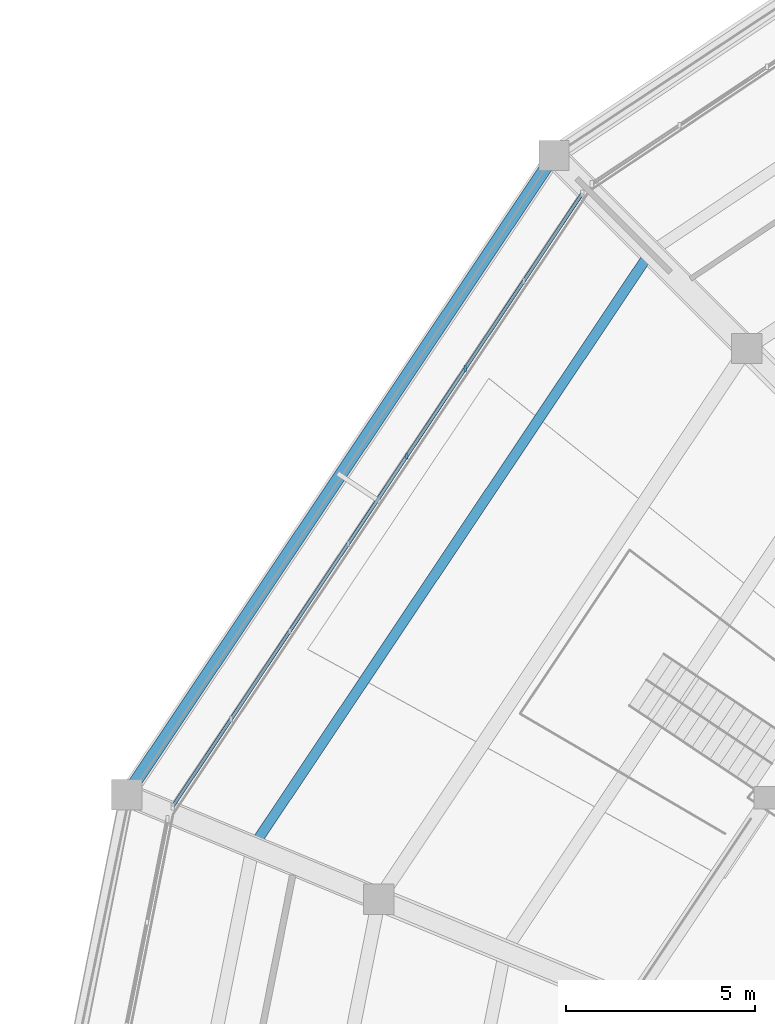
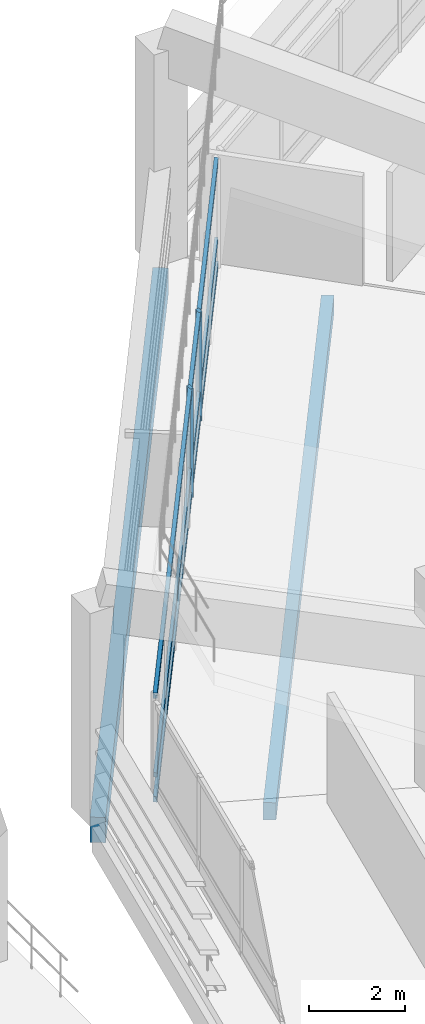
# One storey, part 25 of 96: 5 members, 2 beams, 1 element without a shape of its own.
"""IFC4 building model written with IfcOpenShell, lengths in metres."""

from ifc_helpers import new_model, si_unit, direction, frame, origin, origin_2d, place, context, subcontext, project, spatial, rectangle, extrude, material, material_profile, profile_set, type_object, element, aggregate, save


model = new_model("IFC4")

# Units and contexts
model_context = context("Model", 3, precision=1e-05, world=origin(), true_north=direction((0.0, 1.0)))
body_context = subcontext(model_context, "Body", "Model", "MODEL_VIEW")
ifc_project = project(units=[si_unit("LENGTHUNIT", "METRE"), si_unit("AREAUNIT", "SQUARE_METRE"), si_unit("VOLUMEUNIT", "CUBIC_METRE"), si_unit("PLANEANGLEUNIT", "RADIAN"), si_unit("MASSUNIT", "GRAM", prefix="KILO")], contexts=[model_context])

# Site, building, storey
site_placement = place(None, origin())
site = spatial("IfcSite", under=ifc_project, at=site_placement, CompositionType="ELEMENT")
building_placement = place(site_placement, origin())
building = spatial("IfcBuilding", under=site, at=building_placement, Name="Candeia Ridge Stadium", CompositionType="ELEMENT")
storey_placement = place(building_placement, frame((0.0, 0.0, 21.60009765625)))
storey = spatial("IfcBuildingStorey", under=building, at=storey_placement, Name="L04", CompositionType="ELEMENT", Elevation=21.60009765625)

# Curtain wall, members
ifc_material_1 = material(Name="Aluminium Anodized Warm Bronze", Category="aluminium")
curtain_wall_type = type_object("IfcCurtainWallType", Name="Concourse Recessed Unitised Curtain Wall", PredefinedType="NOTDEFINED", material=ifc_material_1)
curtain_wall_placement = place(storey_placement, origin())
curtain_wall = element("IfcCurtainWall", 1, at=curtain_wall_placement, inside=storey, type_object=curtain_wall_type, Name="Unitised curtain wall CW-BWL-L04-09", PredefinedType="NOTDEFINED")
ifc_material_profile_1 = material_profile(ifc_material_1, rectangle(XDim=0.074951171875, YDim=0.14990234375, at=origin_2d()), Name="CWM-75x150", Category="aluminium")
ifc_profile_set_1 = profile_set([ifc_material_profile_1], Name="Aluminium Anodized Warm Bronze")
member_type_1 = type_object("IfcMemberType", Name="Curtain Wall Secondary Mullion 75x150", PredefinedType="MULLION", material=ifc_profile_set_1)
member_1_placement = place(storey_placement, frame((31.889892578125, 126.148193359375, 0.0), z_axis=(0.0, 0.0, 1.0), x_axis=(1.0, 0.0, 0.0)))
member_1 = element("IfcMember", 2, at=member_1_placement, type_object=member_type_1, Name="Curtain wall mullion CW-BWL-L04-09-M2", PredefinedType="MULLION", context=body_context, shape_type="SweptSolid", body=[
    extrude(rectangle(XDim=0.074951171875, YDim=0.14990234375, at=origin_2d()), origin(), (0.0, 0.0, 1.0), 2.772216796875),
])
member_2_placement = place(storey_placement, frame((30.34521484375, 123.83642578125, 0.0), z_axis=(0.0, 0.0, 1.0), x_axis=(1.0, 0.0, 0.0)))
member_2 = element("IfcMember", 3, at=member_2_placement, type_object=member_type_1, Name="Curtain wall mullion CW-BWL-L04-09-M3", PredefinedType="MULLION", context=body_context, shape_type="SweptSolid", body=[
    extrude(rectangle(XDim=0.074951171875, YDim=0.14990234375, at=origin_2d()), origin(), (0.0, 0.0, 1.0), 2.772216796875),
])
ifc_material_profile_2 = material_profile(ifc_material_1, rectangle(XDim=0.074951171875, YDim=0.110107421875, at=origin_2d()), Name="CWT-75x110", Category="aluminium")
ifc_profile_set_2 = profile_set([ifc_material_profile_2], Name="Aluminium Anodized Warm Bronze")
member_type_2 = type_object("IfcMemberType", Name="Curtain Wall Secondary Transom 75x110", PredefinedType="USERDEFINED", material=ifc_profile_set_2)
member_3_placement = place(storey_placement, frame((34.97900390625, 130.771484375, 0.693115234375), z_axis=(-0.555568394863, -0.831470840517, 0.0), x_axis=(0.831470840517, -0.555568394863, 0.0)))
member_3 = element("IfcMember", 4, at=member_3_placement, type_object=member_type_2, Name="Curtain wall transom CW-BWL-L04-09-T1", ObjectType="TRANSOM", PredefinedType="USERDEFINED", context=body_context, shape_type="SweptSolid", body=[
    extrude(rectangle(XDim=0.074951171875, YDim=0.110107421875, at=origin_2d()), origin(), (0.0, 0.0, 1.0), 19.461181640625),
])
ifc_material_profile_3 = material_profile(ifc_material_1, rectangle(XDim=0.090087890625, YDim=0.139892578125, at=origin_2d()), Name="CWT-90x140", Category="aluminium")
ifc_profile_set_3 = profile_set([ifc_material_profile_3], Name="Aluminium Anodized Warm Bronze")
member_type_3 = type_object("IfcMemberType", Name="Curtain Wall Transom 90x140", PredefinedType="USERDEFINED", material=ifc_profile_set_3)
member_4_placement = place(storey_placement, frame((34.97900390625, 130.771484375, 0.06982421875), z_axis=(-0.555568394863, -0.831470840517, 0.0), x_axis=(0.831470840517, -0.555568394863, 0.0)))
member_4 = element("IfcMember", 5, at=member_4_placement, type_object=member_type_3, Name="Curtain wall transom CW-BWL-L04-09-T0", ObjectType="TRANSOM", PredefinedType="USERDEFINED", context=body_context, shape_type="SweptSolid", body=[
    extrude(rectangle(XDim=0.090087890625, YDim=0.139892578125, at=origin_2d()), origin(), (0.0, 0.0, 1.0), 19.461181640625),
])
member_5_placement = place(storey_placement, frame((34.97900390625, 130.771484375, 2.7021484375), z_axis=(-0.555568394863, -0.831470840517, 0.0), x_axis=(0.831470840517, -0.555568394863, 0.0)))
member_5 = element("IfcMember", 6, at=member_5_placement, type_object=member_type_3, Name="Curtain wall transom CW-BWL-L04-09-T2", ObjectType="TRANSOM", PredefinedType="USERDEFINED", context=body_context, shape_type="SweptSolid", body=[
    extrude(rectangle(XDim=0.090087890625, YDim=0.139892578125, at=origin_2d()), origin(), (0.0, 0.0, 1.0), 19.461181640625),
])
aggregate(curtain_wall, [member_1, member_2, member_4, member_3, member_5])

# Beams
ifc_material_2 = material(Name="Concrete C40/50", Category="concrete")
ifc_material_profile_4 = material_profile(ifc_material_2, rectangle(XDim=0.27001953125, YDim=0.43994140625, at=origin_2d()), Name="RC270x440", Category="concrete")
ifc_profile_set_4 = profile_set([ifc_material_profile_4], Name="Concrete C40/50")
beam_type_1 = type_object("IfcBeamType", Name="Floor Joist RC270x440", PredefinedType="JOIST", material=ifc_profile_set_4)
beam_1_placement = place(storey_placement, frame((36.652587890625, 129.039306640625, -0.47998046875), z_axis=(-0.555573683674, -0.831467306639, 0.0), x_axis=(0.831467306639, -0.555573683674, 0.0)))
element("IfcBeam", 7, at=beam_1_placement, inside=storey, type_object=beam_type_1, Name="Concourse secondary joist BM-L04-0837", PredefinedType="JOIST", context=body_context, shape_type="SweptSolid", body=[
    extrude(rectangle(XDim=0.27001953125, YDim=0.43994140625, at=origin_2d()), origin(), (0.0, 0.0, 1.0), 18.440673828125),
])
ifc_material_profile_5 = material_profile(ifc_material_2, rectangle(XDim=0.330078125, YDim=0.639892578125, at=origin_2d()), Name="RC330x640", Category="concrete")
ifc_profile_set_5 = profile_set([ifc_material_profile_5], Name="Concrete C40/50")
beam_type_2 = type_object("IfcBeamType", Name="Spandrel Beam RC330x640", PredefinedType="SPANDREL", material=ifc_profile_set_5)
beam_2_placement = place(storey_placement, frame((34.1416015625, 131.636474609375, -0.580078125), z_axis=(-0.555571676938, -0.831468647505, 0.0), x_axis=(0.831468647505, -0.555571676938, 0.0)))
element("IfcBeam", 8, at=beam_2_placement, inside=storey, type_object=beam_type_2, Name="Bowl perimeter spandrel BM-L04-0835", PredefinedType="SPANDREL", context=body_context, shape_type="SweptSolid", body=[
    extrude(rectangle(XDim=0.330078125, YDim=0.639892578125, at=origin_2d()), origin(), (0.0, 0.0, 1.0), 19.969482421875),
])

save(model, "model.ifc")
